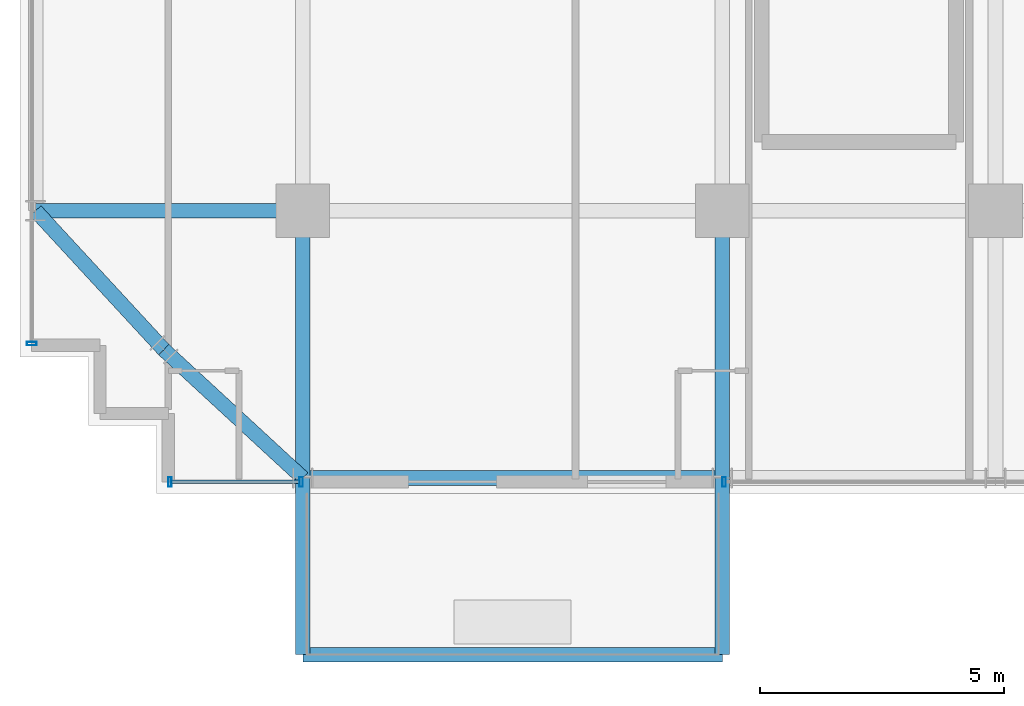
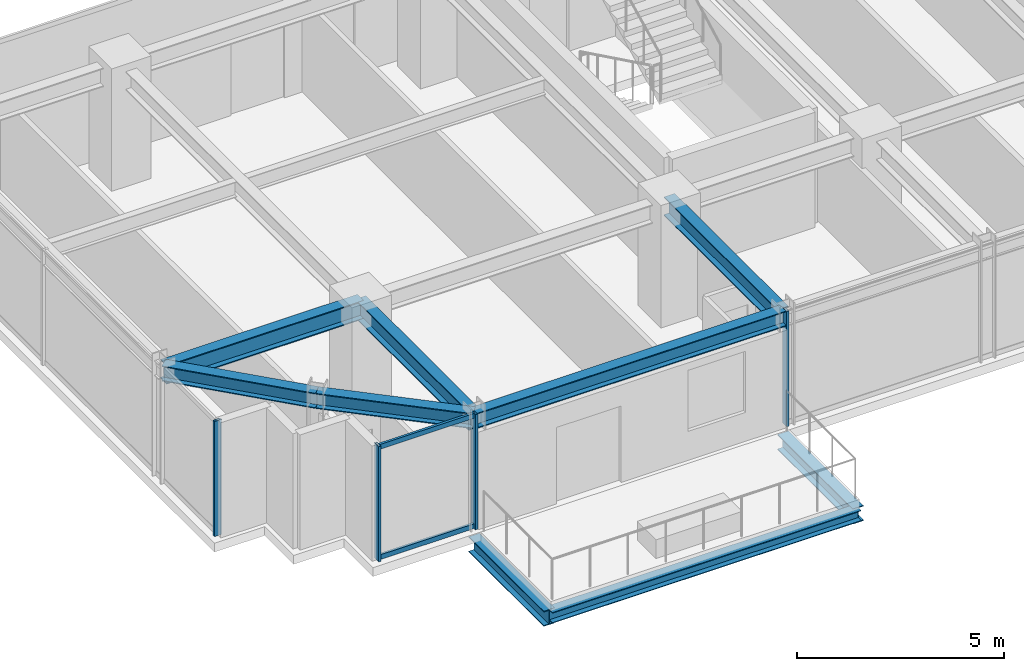
# One storey, part 2 of 38: 9 beams, 6 members, 3 elements without a shape of their own.
"""IFC4 building model written with IfcOpenShell, lengths in metres."""

from ifc_helpers import new_model, si_unit, direction, frame, origin, origin_2d, place, context, subcontext, project, spatial, hollow_rectangle, i_section, extrude, source, transform, mapped, material, material_profile, profile_set, type_object, element, aggregate, save


model = new_model("IFC4")

# Units and contexts
model_context = context("Model", 3, precision=1e-05, world=origin(), true_north=direction((0.0, 1.0)))
body_context = subcontext(model_context, "Body", "Model", "MODEL_VIEW")
ifc_project = project(units=[si_unit("LENGTHUNIT", "METRE"), si_unit("AREAUNIT", "SQUARE_METRE"), si_unit("VOLUMEUNIT", "CUBIC_METRE"), si_unit("PLANEANGLEUNIT", "RADIAN"), si_unit("MASSUNIT", "GRAM", prefix="KILO")], contexts=[model_context])

# Site, building, storey
site_placement = place(None, origin())
site = spatial("IfcSite", under=ifc_project, at=site_placement, CompositionType="ELEMENT")
building_placement = place(site_placement, origin())
building = spatial("IfcBuilding", under=site, at=building_placement, Name="Nahalor Promenade Grand Hotel", CompositionType="ELEMENT")
storey_placement = place(building_placement, frame((0.0, 0.0, 178.199951171875)))
storey = spatial("IfcBuildingStorey", under=building, at=storey_placement, Name="L45", CompositionType="ELEMENT", Elevation=178.199951171875)

# Beams
ifc_material_1 = material(Name="Steel S355JR", Category="steel")
ifc_material_profile_1 = material_profile(ifc_material_1, i_section(OverallWidth=0.3, OverallDepth=0.32, WebThickness=0.0115, FlangeThickness=0.0205, at=origin_2d()), Name="HEB 320")
ifc_profile_set_1 = profile_set([ifc_material_profile_1], Name="Steel S355JR")
beam_type_1 = type_object("IfcBeamType", Name="Beam-BalcEdge-HEB320", PredefinedType="SPANDREL", material=ifc_profile_set_1)
shared_shape_1 = source(origin(), body_context, "Body", "SweptSolid", [
    extrude(i_section(OverallWidth=0.3, OverallDepth=0.32, WebThickness=0.0115, FlangeThickness=0.0205, at=origin_2d()), origin(), (0.0, 0.0, 1.0), 8.60009765625),
])
beam_1_placement = place(storey_placement, frame((-17.0, -26.10009765625, -0.43994140625), z_axis=(1.0, 0.0, 0.0), x_axis=(0.0, 1.0, 0.0)))
element("IfcBeam", 1, at=beam_1_placement, inside=storey, type_object=beam_type_1, Name="BM-L45-BC-01-F", PredefinedType="SPANDREL", context=body_context, shape_type="MappedRepresentation", body=[
    mapped(shared_shape_1, transform((0.0, 0.0, 0.0), scale=1.0)),
])
ifc_material_profile_2 = material_profile(ifc_material_1, i_section(OverallWidth=0.3, OverallDepth=0.45, WebThickness=0.014, FlangeThickness=0.026, at=origin_2d()), Name="HEB 450")
ifc_profile_set_2 = profile_set([ifc_material_profile_2], Name="Steel S355JR")
beam_type_2 = type_object("IfcBeamType", Name="Beam-Outrigger-HEB450", PredefinedType="BEAM", material=ifc_profile_set_2)
shared_shape_2 = source(origin(), body_context, "Body", "SweptSolid", [
    extrude(i_section(OverallWidth=0.3, OverallDepth=0.45, WebThickness=0.014, FlangeThickness=0.026, at=origin_2d()), origin(), (0.0, 0.0, 1.0), 3.6201171875),
])
for number, where, z_axis, x_axis, name in (
    (2, (-17.0, -26.10009765625, -0.5048828125), (0.0, 1.0, 0.0), (-1.0, 0.0, 0.0), "BM-L45-BC-01-1"),
    (3, (-8.39990234375, -26.10009765625, -0.5048828125), (0.0, 1.0, 0.0), (-1.0, 0.0, 0.0), "BM-L45-BC-01-2"),
):
    element("IfcBeam", number, at=place(storey_placement, frame(where, z_axis=z_axis, x_axis=x_axis)), inside=storey, type_object=beam_type_2, Name=name, PredefinedType="BEAM", context=body_context, shape_type="MappedRepresentation", body=[
        mapped(shared_shape_2, transform((0.0, 0.0, 0.0), scale=1.0)),
    ])
ifc_material_profile_3 = material_profile(ifc_material_1, i_section(OverallWidth=0.3, OverallDepth=0.55, WebThickness=0.015, FlangeThickness=0.029, at=origin_2d()), Name="HEB 550")
ifc_profile_set_3 = profile_set([ifc_material_profile_3], Name="Steel S355JR")
beam_type_3 = type_object("IfcBeamType", Name="Beam-Girder-HEB550", PredefinedType="BEAM", material=ifc_profile_set_3)
shared_shape_3 = source(origin(), body_context, "Body", "SweptSolid", [
    extrude(i_section(OverallWidth=0.3, OverallDepth=0.55, WebThickness=0.015, FlangeThickness=0.029, at=origin_2d()), origin(), (0.0, 0.0, 1.0), 5.47998046875),
])
for number, where, z_axis, x_axis, name in (
    (4, (-22.47998046875, -17.0, 3.114990234375), (1.0, 0.0, 0.0), (0.0, 1.0, 0.0), "BM-L45-GX-0-0"),
    (5, (-17.0, -22.47998046875, 3.114990234375), (0.0, 1.0, 0.0), (-1.0, 0.0, 0.0), "BM-L45-GY-0-0"),
    (6, (-8.39990234375, -22.47998046875, 3.114990234375), (0.0, 1.0, 0.0), (-1.0, 0.0, 0.0), "BM-L45-GY-1-0"),
):
    element("IfcBeam", number, at=place(storey_placement, frame(where, z_axis=z_axis, x_axis=x_axis)), inside=storey, type_object=beam_type_3, Name=name, PredefinedType="BEAM", context=body_context, shape_type="MappedRepresentation", body=[
        mapped(shared_shape_3, transform((0.0, 0.0, 0.0), scale=1.0)),
    ])
ifc_material_profile_4 = material_profile(ifc_material_1, i_section(OverallWidth=0.3, OverallDepth=0.45, WebThickness=0.014, FlangeThickness=0.026, at=origin_2d()), Name="HEB 450")
ifc_profile_set_4 = profile_set([ifc_material_profile_4], Name="Steel S355JR")
beam_type_4 = type_object("IfcBeamType", Name="Beam-Spandrel-HEB450", PredefinedType="SPANDREL", material=ifc_profile_set_4)
shared_shape_4 = source(origin(), body_context, "Body", "SweptSolid", [
    extrude(i_section(OverallWidth=0.3, OverallDepth=0.45, WebThickness=0.014, FlangeThickness=0.026, at=origin_2d()), origin(), (0.0, 0.0, 1.0), 8.60009765625),
])
beam_2_placement = place(storey_placement, frame((-17.0, -22.47998046875, 3.1650390625), z_axis=(1.0, 0.0, 0.0), x_axis=(0.0, 1.0, 0.0)))
element("IfcBeam", 7, at=beam_2_placement, inside=storey, type_object=beam_type_4, Name="BM-L45-SP-S-0", PredefinedType="SPANDREL", context=body_context, shape_type="MappedRepresentation", body=[
    mapped(shared_shape_4, transform((0.0, 0.0, 0.0), scale=1.0)),
])
shared_shape_5 = source(origin(), body_context, "Body", "SweptSolid", [
    extrude(i_section(OverallWidth=0.3, OverallDepth=0.45, WebThickness=0.014, FlangeThickness=0.026, at=origin_2d()), origin(), (0.0, 0.0, 1.0), 3.878173828125),
])
for number, where, z_axis, x_axis, name in (
    (8, (-17.0, -22.47998046875, 3.1650390625), (-0.73492893846, 0.678144125843, 0.0), (-0.678144125843, -0.73492893846, 0.0), "BM-L45-SPC-SW-1"),
    (9, (-19.85009765625, -19.85009765625, 3.1650390625), (-0.678144125843, 0.73492893846, 0.0), (-0.73492893846, -0.678144125843, 0.0), "BM-L45-SPC-SW-2"),
):
    element("IfcBeam", number, at=place(storey_placement, frame(where, z_axis=z_axis, x_axis=x_axis)), inside=storey, type_object=beam_type_4, Name=name, PredefinedType="SPANDREL", context=body_context, shape_type="MappedRepresentation", body=[
        mapped(shared_shape_5, transform((0.0, 0.0, 0.0), scale=1.0)),
    ])

# Curtain wall, members
ifc_material_2 = material(Name="Anodised Bronze Aluminium EN AW-6063 T6", Category="aluminium")
curtain_wall_type = type_object("IfcCurtainWallType", Name="CW3 Elliptical-Void Collar Unitised Curtain Wall", PredefinedType="USERDEFINED", material=ifc_material_2)
curtain_wall_1_placement = place(storey_placement, origin())
curtain_wall_1 = element("IfcCurtainWall", 10, at=curtain_wall_1_placement, inside=storey, type_object=curtain_wall_type, Name="L45 Curtain Wall CW-L45-S-1", ObjectType="UNITISED_CURTAIN_WALL", PredefinedType="USERDEFINED")
ifc_material_profile_5 = material_profile(ifc_material_2, hollow_rectangle(XDim=0.07, YDim=0.2, WallThickness=0.005, at=origin_2d()), Name="CWM 70x200x5")
ifc_profile_set_5 = profile_set([ifc_material_profile_5], Name="Anodised Bronze Aluminium EN AW-6063 T6")
member_type_1 = type_object("IfcMemberType", Name="CWM3 Void Collar Mullion 70x200", PredefinedType="MULLION", material=ifc_profile_set_5)
shared_shape_6 = source(origin(), body_context, "Body", "SweptSolid", [
    extrude(hollow_rectangle(XDim=0.07, YDim=0.2, WallThickness=0.005, at=origin_2d()), origin(), (0.0, 0.0, 1.0), 3.39013671875),
])
member_1_placement = place(storey_placement, frame((-19.72509765625, -22.56005859375, 0.0), z_axis=(0.0, 0.0, 1.0), x_axis=(1.0, 0.0, 0.0)))
member_1 = element("IfcMember", 11, at=member_1_placement, type_object=member_type_1, Name="CW-L45-S-1 Mullion 0", PredefinedType="MULLION", context=body_context, shape_type="MappedRepresentation", body=[
    mapped(shared_shape_6, transform((0.0, 0.0, 0.0), scale=1.0)),
])
member_2_placement = place(storey_placement, frame((-17.034912109375, -22.56005859375, 0.0), z_axis=(0.0, 0.0, 1.0), x_axis=(1.0, 0.0, 0.0)))
member_2 = element("IfcMember", 12, at=member_2_placement, type_object=member_type_1, Name="CW-L45-S-1 Mullion 1", PredefinedType="MULLION", context=body_context, shape_type="MappedRepresentation", body=[
    mapped(shared_shape_6, transform((0.0, 0.0, 0.0), scale=1.0)),
])

# Curtain wall, member
curtain_wall_2_placement = place(storey_placement, origin())
curtain_wall_2 = element("IfcCurtainWall", 13, at=curtain_wall_2_placement, inside=storey, type_object=curtain_wall_type, Name="L45 Curtain Wall CW-L45-S-3", ObjectType="UNITISED_CURTAIN_WALL", PredefinedType="USERDEFINED")
member_3_placement = place(storey_placement, frame((-8.364990234375, -22.56005859375, 0.0), z_axis=(0.0, 0.0, 1.0), x_axis=(1.0, 0.0, 0.0)))
member_3 = element("IfcMember", 14, at=member_3_placement, type_object=member_type_1, Name="CW-L45-S-3 Mullion 0", PredefinedType="MULLION", context=body_context, shape_type="MappedRepresentation", body=[
    mapped(shared_shape_6, transform((0.0, 0.0, 0.0), scale=1.0)),
])
aggregate(curtain_wall_2, [member_3])

curtain_wall_3_placement = place(storey_placement, origin())
curtain_wall_3 = element("IfcCurtainWall", 15, at=curtain_wall_3_placement, inside=storey, type_object=curtain_wall_type, Name="L45 Curtain Wall CW-L45-W-1", ObjectType="UNITISED_CURTAIN_WALL", PredefinedType="USERDEFINED")
member_4_placement = place(storey_placement, frame((-22.56005859375, -19.72509765625, 0.0), z_axis=(0.0, 0.0, 1.0), x_axis=(0.0, 1.0, 0.0)))
member_4 = element("IfcMember", 16, at=member_4_placement, type_object=member_type_1, Name="CW-L45-W-1 Mullion 0", PredefinedType="MULLION", context=body_context, shape_type="MappedRepresentation", body=[
    mapped(shared_shape_6, transform((0.0, 0.0, 0.0), scale=1.0)),
])
aggregate(curtain_wall_3, [member_4])

# Member
ifc_material_profile_6 = material_profile(ifc_material_2, hollow_rectangle(XDim=0.07, YDim=0.14, WallThickness=0.004, at=origin_2d()), Name="CWT 70x140x4")
ifc_profile_set_6 = profile_set([ifc_material_profile_6], Name="Anodised Bronze Aluminium EN AW-6063 T6")
member_type_2 = type_object("IfcMemberType", Name="CWT3 Void Collar Transom 70x140", PredefinedType="USERDEFINED", material=ifc_profile_set_6)
shared_shape_7 = source(origin(), body_context, "Body", "SweptSolid", [
    extrude(hollow_rectangle(XDim=0.07, YDim=0.14, WallThickness=0.004, at=origin_2d()), origin(), (0.0, 0.0, 1.0), 2.619873046875),
])
member_5_placement = place(storey_placement, frame((-19.68994140625, -22.56005859375, 0.070068359375), z_axis=(1.0, 0.0, 0.0), x_axis=(0.0, 1.0, 0.0)))
member_5 = element("IfcMember", 17, at=member_5_placement, type_object=member_type_2, Name="CW-L45-S-1 Transom 0-0", ObjectType="TRANSOM", PredefinedType="USERDEFINED", context=body_context, shape_type="MappedRepresentation", body=[
    mapped(shared_shape_7, transform((0.0, 0.0, 0.0), scale=1.0)),
])

member_6_placement = place(storey_placement, frame((-19.68994140625, -22.56005859375, 3.320068359375), z_axis=(1.0, 0.0, 0.0), x_axis=(0.0, 1.0, 0.0)))
member_6 = element("IfcMember", 18, at=member_6_placement, type_object=member_type_2, Name="CW-L45-S-1 Transom 0-1", ObjectType="TRANSOM", PredefinedType="USERDEFINED", context=body_context, shape_type="MappedRepresentation", body=[
    mapped(shared_shape_7, transform((0.0, 0.0, 0.0), scale=1.0)),
])

aggregate(curtain_wall_1, [member_1, member_2, member_5, member_6])

save(model, "model.ifc")
